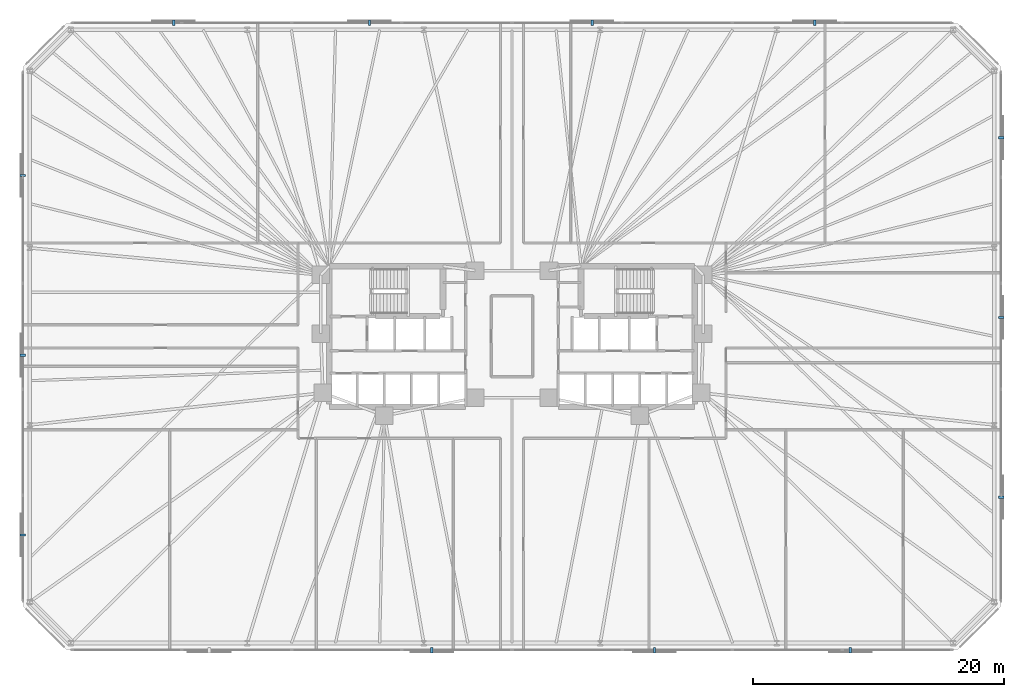
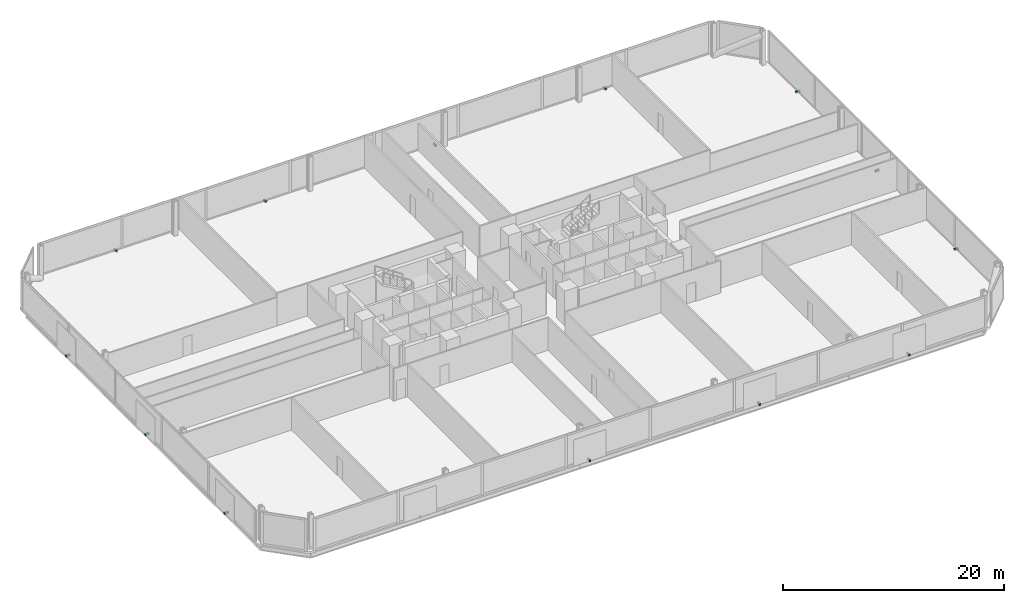
# One storey, part 16 of 17: 13 discrete accessories.
"""IFC4 building model written with IfcOpenShell, lengths in metres."""

from ifc_helpers import new_model, si_unit, direction, frame, origin, origin_2d, place, context, subcontext, project, spatial, rectangle, extrude, material, type_object, element, save


model = new_model("IFC4")

# Units and contexts
model_context = context("Model", 3, precision=1e-05, world=origin(), true_north=direction((0.0, 1.0)))
body_context = subcontext(model_context, "Body", "Model", "MODEL_VIEW")
ifc_project = project(units=[si_unit("LENGTHUNIT", "METRE"), si_unit("AREAUNIT", "SQUARE_METRE"), si_unit("VOLUMEUNIT", "CUBIC_METRE"), si_unit("PLANEANGLEUNIT", "RADIAN"), si_unit("MASSUNIT", "GRAM", prefix="KILO")], contexts=[model_context])

# Site, building, storey
site_placement = place(None, origin())
site = spatial("IfcSite", under=ifc_project, at=site_placement, CompositionType="ELEMENT")
building_placement = place(site_placement, origin())
building = spatial("IfcBuilding", under=site, at=building_placement, Name="Menara Jurai Vektor", CompositionType="ELEMENT")
storey_placement = place(building_placement, frame((0.0, 0.0, 56.0)))
storey = spatial("IfcBuildingStorey", under=building, at=storey_placement, Name="L13", CompositionType="ELEMENT", Elevation=56.0)

# Discrete accessories
ifc_material = material(Name="Steel S355", Category="steel")
discrete_accessory_type = type_object("IfcDiscreteAccessoryType", Name="ENV-ACC-BRACKET", PredefinedType="BRACKET", material=ifc_material)
for number, where, z_axis, x_axis, name in (
    (1, (-6.389892578125, -25.010009765625, -0.1298828125), (0.0, 0.0, 1.0), (1.0, 0.0, 0.0), "Solar Screen Stand-Off Bracket L13-S02"),
    (2, (11.360107421875, -25.010009765625, -0.1298828125), (0.0, 0.0, 1.0), (1.0, 0.0, 0.0), "Solar Screen Stand-Off Bracket L13-S03"),
    (3, (26.97998046875, -25.010009765625, -0.1298828125), (0.0, 0.0, 1.0), (1.0, 0.0, 0.0), "Solar Screen Stand-Off Bracket L13-S04"),
    (4, (39.010009765625, -12.828369140625, -0.1298828125), (0.0, 0.0, 1.0), (0.0, 1.0, 0.0), "Solar Screen Stand-Off Bracket L13-S05"),
    (5, (39.010009765625, 1.5048828125, -0.1298828125), (0.0, 0.0, 1.0), (0.0, 1.0, 0.0), "Solar Screen Stand-Off Bracket L13-S06"),
    (6, (39.010009765625, 15.83837890625, -0.1298828125), (0.0, 0.0, 1.0), (0.0, 1.0, 0.0), "Solar Screen Stand-Off Bracket L13-S07"),
    (7, (24.139892578125, 25.010009765625, -0.1298828125), (0.0, 0.0, 1.0), (-1.0, 0.0, 0.0), "Solar Screen Stand-Off Bracket L13-S08"),
    (8, (6.389892578125, 25.010009765625, -0.1298828125), (0.0, 0.0, 1.0), (-1.0, 0.0, 0.0), "Solar Screen Stand-Off Bracket L13-S09"),
    (9, (-11.360107421875, 25.010009765625, -0.1298828125), (0.0, 0.0, 1.0), (-1.0, 0.0, 0.0), "Solar Screen Stand-Off Bracket L13-S10"),
    (10, (-26.97998046875, 25.010009765625, -0.1298828125), (0.0, 0.0, 1.0), (-1.0, 0.0, 0.0), "Solar Screen Stand-Off Bracket L13-S11"),
    (11, (-39.010009765625, 12.828369140625, -0.1298828125), (0.0, 0.0, 1.0), (0.0, -1.0, 0.0), "Solar Screen Stand-Off Bracket L13-S12"),
    (12, (-39.010009765625, -1.5048828125, -0.1298828125), (0.0, 0.0, 1.0), (0.0, -1.0, 0.0), "Solar Screen Stand-Off Bracket L13-S13"),
    (13, (-39.010009765625, -15.83837890625, -0.1298828125), (0.0, 0.0, 1.0), (0.0, -1.0, 0.0), "Solar Screen Stand-Off Bracket L13-S14"),
):
    element("IfcDiscreteAccessory", number, at=place(storey_placement, frame(where, z_axis=z_axis, x_axis=x_axis)), inside=storey, type_object=discrete_accessory_type, Name=name, PredefinedType="BRACKET", context=body_context, shape_type="SweptSolid", body=[
        extrude(rectangle(XDim=0.179931640625, YDim=0.43994140625, at=origin_2d()), origin(), (0.0, 0.0, 1.0), 0.219970703125),
    ])

save(model, "model.ifc")
